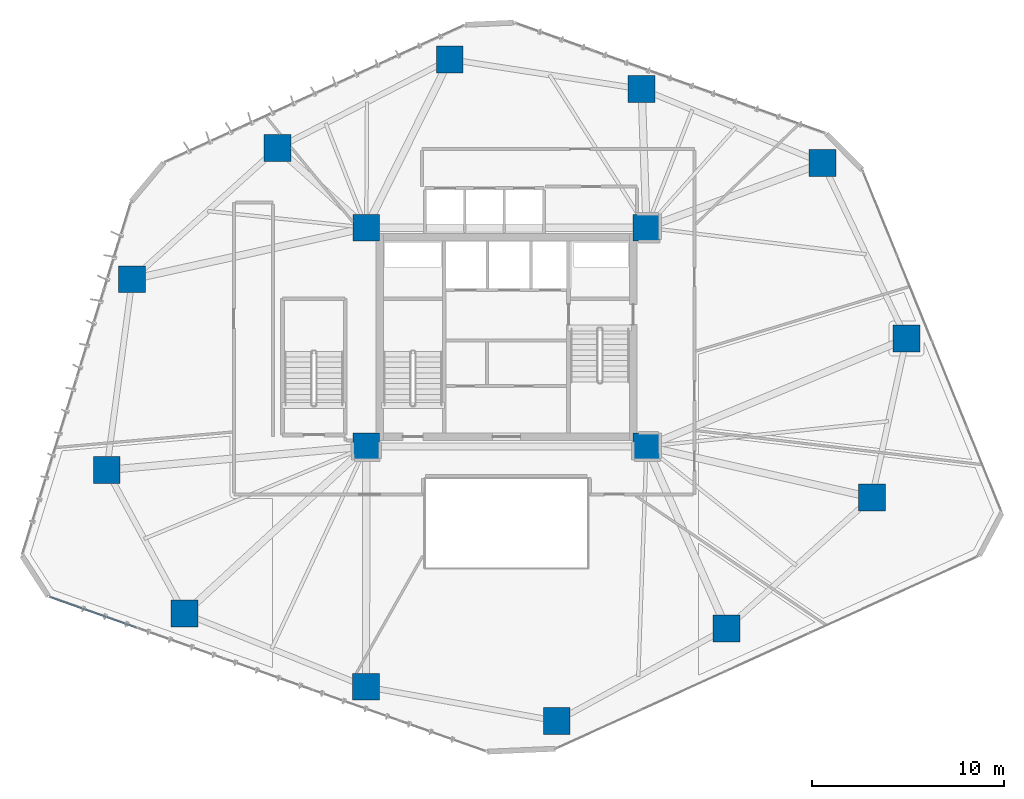
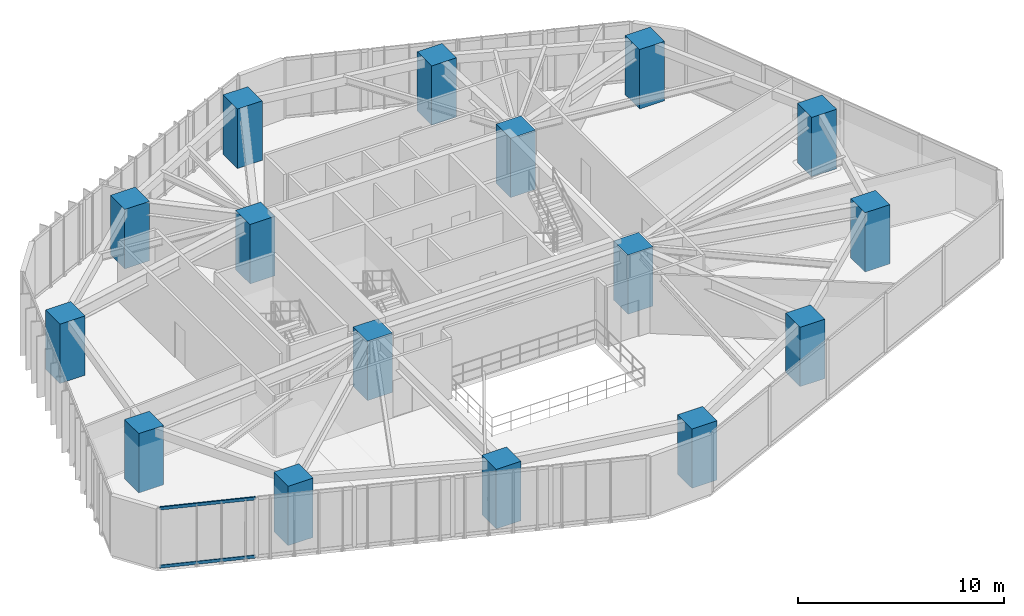
# One storey, part 1 of 24: 16 columns, 2 members, 1 element without a shape of its own.
"""IFC4 building model written with IfcOpenShell, lengths in metres."""

from ifc_helpers import new_model, si_unit, direction, frame, origin, origin_2d, place, context, subcontext, project, spatial, rectangle, hollow_rectangle, extrude, source, transform, mapped, material, layer, layer_set, material_profile, profile_set, type_object, type_shapes, element, aggregate, save


model = new_model("IFC4")

# Units and contexts
model_context = context("Model", 3, precision=1e-05, world=origin(), true_north=direction((0.0, 1.0)))
body_context = subcontext(model_context, "Body", "Model", "MODEL_VIEW")
ifc_project = project(units=[si_unit("LENGTHUNIT", "METRE"), si_unit("AREAUNIT", "SQUARE_METRE"), si_unit("VOLUMEUNIT", "CUBIC_METRE"), si_unit("PLANEANGLEUNIT", "RADIAN"), si_unit("MASSUNIT", "GRAM", prefix="KILO")], contexts=[model_context])

# Site, building, storey
site_placement = place(None, origin())
site = spatial("IfcSite", under=ifc_project, at=site_placement, CompositionType="ELEMENT")
building_placement = place(site_placement, origin())
building = spatial("IfcBuilding", under=site, at=building_placement, Name="Talar Marvaseh", CompositionType="ELEMENT")
storey_placement = place(building_placement, frame((0.0, 0.0, 31.60009765625)))
storey = spatial("IfcBuildingStorey", under=building, at=storey_placement, Name="L07", CompositionType="ELEMENT", Elevation=31.60009765625)

# Columns
ifc_material_1 = material(Name="Concrete C70/85", Category="concrete")
ifc_material_profile_1 = material_profile(ifc_material_1, rectangle(XDim=1.39990234375, YDim=1.39990234375, at=origin_2d()), Name="RC1400x1400")
ifc_profile_set_1 = profile_set([ifc_material_profile_1], Name="Concrete C70/85")
column_type = type_object("IfcColumnType", Name="Zone 1 Tube Column RC1400x1400", PredefinedType="COLUMN", material=ifc_profile_set_1)
for number, where, z_axis, x_axis, name in (
    (1, (42.47705078125, 40.26904296875, 0.0), (0.0, 0.0, 1.0), (1.0, 0.0, 0.0), "L07 Zone 1 Tube Column RC1400x1400"),
    (2, (46.841064453125, 31.118896484375, 0.0), (0.0, 0.0, 1.0), (1.0, 0.0, 0.0), "L07 Zone 1 Tube Column RC1400x1400"),
    (3, (45.0439453125, 22.840087890625, 0.0), (0.0, 0.0, 1.0), (1.0, 0.0, 0.0), "L07 Zone 1 Tube Column RC1400x1400"),
    (4, (37.468017578125, 16.02099609375, 0.0), (0.0, 0.0, 1.0), (1.0, 0.0, 0.0), "L07 Zone 1 Tube Column RC1400x1400"),
    (5, (28.625, 11.195068359375, 0.0), (0.0, 0.0, 1.0), (1.0, 0.0, 0.0), "L07 Zone 1 Tube Column RC1400x1400"),
    (6, (18.68310546875, 12.97900390625, 0.0), (0.0, 0.0, 1.0), (1.0, 0.0, 0.0), "L07 Zone 1 Tube Column RC1400x1400"),
    (7, (9.23193359375, 16.7958984375, 0.0), (0.0, 0.0, 1.0), (1.0, 0.0, 0.0), "L07 Zone 1 Tube Column RC1400x1400"),
    (8, (5.175048828125, 24.27587890625, 0.0), (0.0, 0.0, 1.0), (1.0, 0.0, 0.0), "L07 Zone 1 Tube Column RC1400x1400"),
    (9, (6.501953125, 34.214111328125, 0.0), (0.0, 0.0, 1.0), (1.0, 0.0, 0.0), "L07 Zone 1 Tube Column RC1400x1400"),
    (10, (14.069091796875, 41.04296875, 0.0), (0.0, 0.0, 1.0), (1.0, 0.0, 0.0), "L07 Zone 1 Tube Column RC1400x1400"),
    (11, (23.047119140625, 45.6669921875, 0.0), (0.0, 0.0, 1.0), (1.0, 0.0, 0.0), "L07 Zone 1 Tube Column RC1400x1400"),
    (12, (33.0458984375, 44.117919921875, 0.0), (0.0, 0.0, 1.0), (1.0, 0.0, 0.0), "L07 Zone 1 Tube Column RC1400x1400"),
    (13, (18.699951171875, 25.5, 0.0), (0.0, 0.0, 1.0), (1.0, 0.0, 0.0), "L07 Zone 1 Tube Column RC1400x1400"),
    (14, (33.300048828125, 25.5, 0.0), (0.0, 0.0, 1.0), (1.0, 0.0, 0.0), "L07 Zone 1 Tube Column RC1400x1400"),
    (15, (33.300048828125, 36.89990234375, 0.0), (0.0, 0.0, 1.0), (1.0, 0.0, 0.0), "L07 Zone 1 Tube Column RC1400x1400"),
    (16, (18.699951171875, 36.89990234375, 0.0), (0.0, 0.0, 1.0), (1.0, 0.0, 0.0), "L07 Zone 1 Tube Column RC1400x1400"),
):
    element("IfcColumn", number, at=place(storey_placement, frame(where, z_axis=z_axis, x_axis=x_axis)), inside=storey, type_object=column_type, Name=name, PredefinedType="COLUMN", context=body_context, shape_type="SweptSolid", body=[
        extrude(rectangle(XDim=1.39990234375, YDim=1.39990234375, at=origin_2d()), origin(), (0.0, 0.0, 1.0), 3.52001953125),
    ])

# Curtain wall, members
ifc_material_2 = material(Name="Architectural Aluminium", Category="aluminium")
ifc_layer = layer(ifc_material_2, 0.219970703125)
ifc_layer_set = layer_set([ifc_layer], Name="Architectural Aluminium")
curtain_wall_type = type_object("IfcCurtainWallType", Name="Unitised Low-E Museum Curtain Wall Z1", PredefinedType="NOTDEFINED", material=ifc_layer_set)
curtain_wall_placement = place(storey_placement, origin())
curtain_wall = element("IfcCurtainWall", 17, at=curtain_wall_placement, inside=storey, type_object=curtain_wall_type, Name="L07 Unitised Low-E Museum Curtain Wall Z1", PredefinedType="NOTDEFINED")
ifc_material_profile_2 = material_profile(ifc_material_2, hollow_rectangle(XDim=0.074951171875, YDim=0.179931640625, WallThickness=0.0048828125, at=origin_2d()), Name="RHS180x75x5")
ifc_profile_set_2 = profile_set([ifc_material_profile_2], Name="Architectural Aluminium")
member_type = type_object("IfcMemberType", Name="Unitised Curtain Wall Transom RHS180x75x5", PredefinedType="USERDEFINED", material=ifc_profile_set_2)
shared_shape = source(origin(), body_context, "Body", "SweptSolid", [
    extrude(hollow_rectangle(XDim=0.074951171875, YDim=0.179931640625, WallThickness=0.0048828125, at=origin_2d()), origin(), (0.0, 0.0, 1.0), 4.725341796875),
])
type_shapes(member_type, [shared_shape])
member_1_placement = place(storey_placement, frame((6.68115234375, 16.077392578125, 0.037353515625), z_axis=(-0.942694274053, 0.333657767282, 0.0), x_axis=(-0.333657767282, -0.942694274053, 0.0)))
member_1 = element("IfcMember", 18, at=member_1_placement, type_object=member_type, Name="CW-Z1 transom 5.1", ObjectType="TRANSOM", PredefinedType="USERDEFINED", context=body_context, shape_type="MappedRepresentation", body=[
    mapped(shared_shape, transform((0.0, 0.0, 0.0), x_axis=(1.0, 0.0, 0.0), y_axis=(0.0, 1.0, 0.0), z_axis=(0.0, 0.0, 1.0), scale=1.0)),
])
member_2_placement = place(storey_placement, frame((6.68115234375, 16.077392578125, 3.482421875), z_axis=(-0.942694274053, 0.333657767282, 0.0), x_axis=(-0.333657767282, -0.942694274053, 0.0)))
member_2 = element("IfcMember", 19, at=member_2_placement, type_object=member_type, Name="CW-Z1 transom 5.2", ObjectType="TRANSOM", PredefinedType="USERDEFINED", context=body_context, shape_type="MappedRepresentation", body=[
    mapped(shared_shape, transform((0.0, 0.0, 0.0), x_axis=(1.0, 0.0, 0.0), y_axis=(0.0, 1.0, 0.0), z_axis=(0.0, 0.0, 1.0), scale=1.0)),
])
aggregate(curtain_wall, [member_1, member_2])

save(model, "model.ifc")
